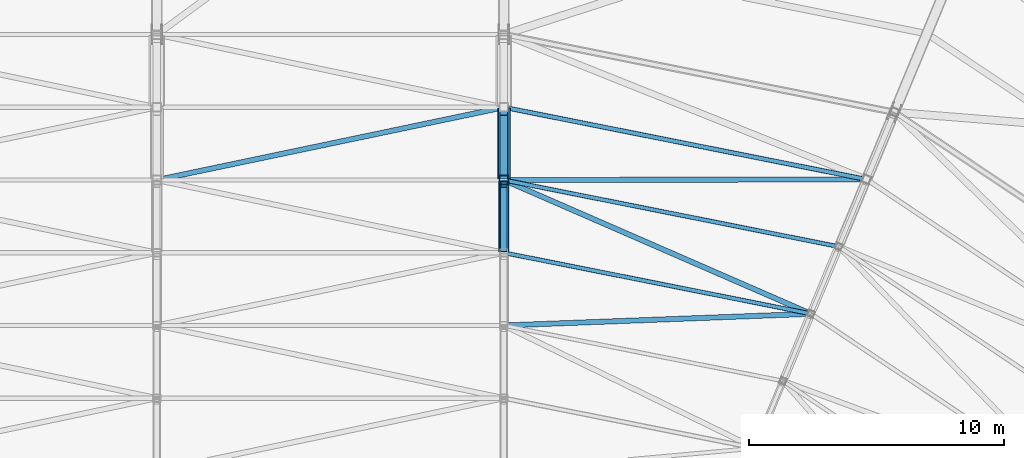
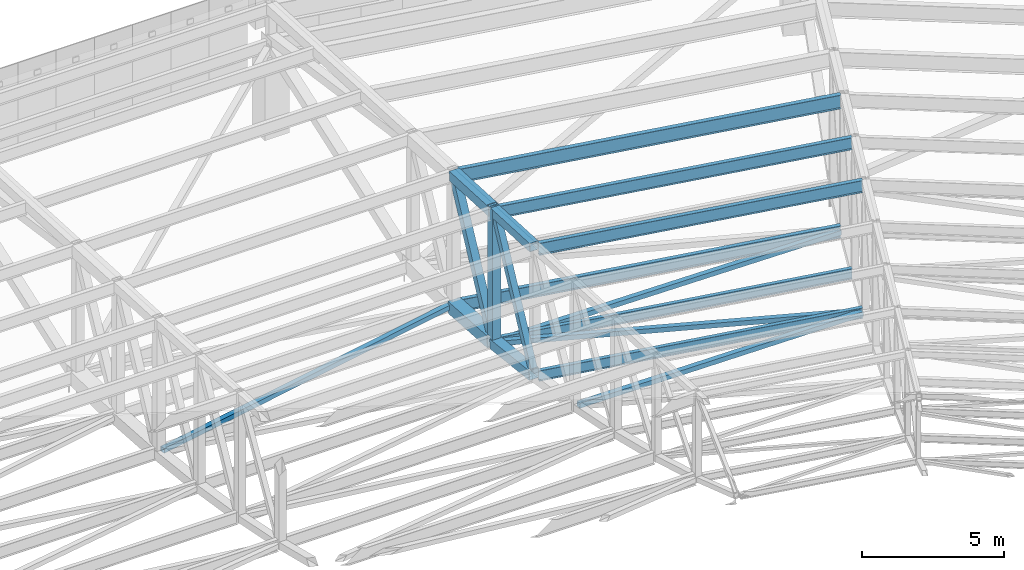
# One storey, part 88 of 278: 12 members, 5 beams.
"""IFC4 building model written with IfcOpenShell, lengths in metres."""

from ifc_helpers import new_model, si_unit, direction, frame, origin, origin_2d, place, context, subcontext, project, spatial, hollow_rectangle, i_section, extrude, material, material_profile, profile_set, type_object, element, save


model = new_model("IFC4")

# Units and contexts
model_context = context("Model", 3, precision=1e-05, world=origin(), true_north=direction((0.0, 1.0)))
body_context = subcontext(model_context, "Body", "Model", "MODEL_VIEW")
ifc_project = project(units=[si_unit("LENGTHUNIT", "METRE"), si_unit("AREAUNIT", "SQUARE_METRE"), si_unit("VOLUMEUNIT", "CUBIC_METRE"), si_unit("PLANEANGLEUNIT", "RADIAN"), si_unit("MASSUNIT", "GRAM", prefix="KILO")], contexts=[model_context])

# Site, building, storey
site_placement = place(None, origin())
site = spatial("IfcSite", under=ifc_project, at=site_placement, CompositionType="ELEMENT")
building_placement = place(site_placement, origin())
building = spatial("IfcBuilding", under=site, at=building_placement, Name="Ogive Plaza Stadium", CompositionType="ELEMENT")
storey_placement = place(building_placement, frame((0.0, 0.0, 29.0)))
storey = spatial("IfcBuildingStorey", under=building, at=storey_placement, Name="Roof", CompositionType="ELEMENT", Elevation=29.0)

# Members
ifc_material_1 = material(Name="Steel ASTM A500 Grade C", Category="steel")
ifc_material_profile_1 = material_profile(ifc_material_1, hollow_rectangle(XDim=0.203125, YDim=0.203125, WallThickness=0.0087890625, at=origin_2d()), Name="HSS8X8X3/8")
ifc_profile_set_1 = profile_set([ifc_material_profile_1], Name="Steel ASTM A500 Grade C")
member_type_1 = type_object("IfcMemberType", Name="Roof plan brace HSS8X8X3/8", PredefinedType="BRACE", material=ifc_profile_set_1)
member_1_placement = place(storey_placement, frame((20.5693359375, 86.83544921875, 0.50927734375), z_axis=(0.9786892756, 0.205092509512, -0.010215887981), x_axis=(-0.205103212524, 0.978740349742, 0.0)))
element("IfcMember", 1, at=member_1_placement, inside=storey, type_object=member_type_1, Name="ROOF BRACE B36 9", PredefinedType="BRACE", context=body_context, shape_type="SweptSolid", body=[
    extrude(hollow_rectangle(XDim=0.203125, YDim=0.203125, WallThickness=0.0087890625, at=origin_2d()), origin(), (0.0, 0.0, 1.0), 13.55029296875),
])
member_2_placement = place(storey_placement, frame((34.126220703125, 81.104736328125, 1.17578125), z_axis=(0.998586929303, 0.037835948464, -0.037317363644), x_axis=(-0.03786232091, 0.999282965258, 0.0)))
element("IfcMember", 2, at=member_2_placement, inside=storey, type_object=member_type_1, Name="ROOF BRACE B37 7", PredefinedType="BRACE", context=body_context, shape_type="SweptSolid", body=[
    extrude(hollow_rectangle(XDim=0.203125, YDim=0.203125, WallThickness=0.0087890625, at=origin_2d()), origin(), (0.0, 0.0, 1.0), 11.76953125),
])
member_3_placement = place(storey_placement, frame((45.94482421875, 81.595458984375, 0.728515625), z_axis=(-0.916524746659, 0.399342381412, -0.022539990446), x_axis=(-0.399443863264, -0.916757656145, 0.0)))
element("IfcMember", 3, at=member_3_placement, inside=storey, type_object=member_type_1, Name="ROOF BRACE B37 8", PredefinedType="BRACE", context=body_context, shape_type="SweptSolid", body=[
    extrude(hollow_rectangle(XDim=0.203125, YDim=0.203125, WallThickness=0.0087890625, at=origin_2d()), origin(), (0.0, 0.0, 1.0), 12.824462890625),
])
member_4_placement = place(storey_placement, frame((34.14794921875, 86.80029296875, 0.43310546875), z_axis=(0.999929483207, 0.001546491055, -0.01177442053), x_axis=(-0.001546598266, 0.999998804016, 0.0)))
element("IfcMember", 4, at=member_4_placement, inside=storey, type_object=member_type_1, Name="ROOF BRACE B37 9", PredefinedType="BRACE", context=body_context, shape_type="SweptSolid", body=[
    extrude(hollow_rectangle(XDim=0.203125, YDim=0.203125, WallThickness=0.0087890625, at=origin_2d()), origin(), (0.0, 0.0, 1.0), 13.892333984375),
])
ifc_material_2 = material(Name="Steel ASTM A992 Grade 50", Category="steel")
ifc_material_profile_2 = material_profile(ifc_material_2, i_section(OverallWidth=0.15234375, OverallDepth=0.449462890625, WebThickness=0.007568359375, FlangeThickness=0.0107421875, at=origin_2d()), Name="W18X35")
ifc_profile_set_2 = profile_set([ifc_material_profile_2], Name="Steel ASTM A992 Grade 50")
member_type_2 = type_object("IfcMemberType", Name="Roof plan strut W18X35", PredefinedType="STRUT", material=ifc_profile_set_2)
member_5_placement = place(storey_placement, frame((34.137939453125, 83.922607421875, 0.730712890625), z_axis=(0.980784109733, -0.195096207281, 0.0), x_axis=(0.195096207281, 0.980784109733, 0.0)))
element("IfcMember", 5, at=member_5_placement, inside=storey, type_object=member_type_2, Name="ROOF STRUT B37 7", PredefinedType="STRUT", context=body_context, shape_type="SweptSolid", body=[
    extrude(i_section(OverallWidth=0.15234375, OverallDepth=0.449462890625, WebThickness=0.007568359375, FlangeThickness=0.0107421875, at=origin_2d()), origin(), (0.0, 0.0, 1.0), 12.015869140625),
])
member_6_placement = place(storey_placement, frame((34.163330078125, 86.767578125, 0.434814453125), z_axis=(0.980784397803, -0.195094759096, 0.0), x_axis=(0.195094759096, 0.980784397803, 0.0)))
element("IfcMember", 6, at=member_6_placement, inside=storey, type_object=member_type_2, Name="ROOF STRUT B37 8", PredefinedType="STRUT", context=body_context, shape_type="SweptSolid", body=[
    extrude(i_section(OverallWidth=0.15234375, OverallDepth=0.449462890625, WebThickness=0.007568359375, FlangeThickness=0.0107421875, at=origin_2d()), origin(), (0.0, 0.0, 1.0), 13.10205078125),
])
ifc_material_3 = material(Name="Steel ASTM A992 Grade 50", Category="steel")
ifc_material_profile_3 = material_profile(ifc_material_3, i_section(OverallWidth=0.1650390625, OverallDepth=0.524658203125, WebThickness=0.0087890625, FlangeThickness=0.011474609375, at=origin_2d()), Name="W21X44")
ifc_profile_set_3 = profile_set([ifc_material_profile_3], Name="Steel ASTM A992 Grade 50")
member_type_3 = type_object("IfcMemberType", Name="Roof plan strut W21X44", PredefinedType="STRUT", material=ifc_profile_set_3)
member_7_placement = place(storey_placement, frame((34.16455078125, 89.6171875, 0.267333984375), z_axis=(0.980787315442, -0.195080090906, 0.0), x_axis=(0.195080090906, 0.980787315442, 0.0)))
element("IfcMember", 7, at=member_7_placement, inside=storey, type_object=member_type_3, Name="ROOF STRUT B37 9", PredefinedType="STRUT", context=body_context, shape_type="SweptSolid", body=[
    extrude(i_section(OverallWidth=0.1650390625, OverallDepth=0.524658203125, WebThickness=0.0087890625, FlangeThickness=0.011474609375, at=origin_2d()), origin(), (0.0, 0.0, 1.0), 14.185546875),
])
ifc_material_4 = material(Name="Steel ASTM A992 Grade 50", Category="steel")
ifc_material_profile_4 = material_profile(ifc_material_4, i_section(OverallWidth=0.1650390625, OverallDepth=0.524658203125, WebThickness=0.0087890625, FlangeThickness=0.011474609375, at=origin_2d()), Name="W21X44")
ifc_profile_set_4 = profile_set([ifc_material_profile_4], Name="Steel ASTM A992 Grade 50")
member_type_4 = type_object("IfcMemberType", Name="Roof purlin W21X44", PredefinedType="PURLIN", material=ifc_profile_set_4)
member_8_placement = place(storey_placement, frame((34.13916015625, 83.92236328125, 6.1650390625), z_axis=(0.980784151785, -0.195095995879, 0.0), x_axis=(0.195095995879, 0.980784151785, 0.0)))
element("IfcMember", 8, at=member_8_placement, inside=storey, type_object=member_type_4, Name="ROOF PURLIN B37 7", PredefinedType="PURLIN", context=body_context, shape_type="SweptSolid", body=[
    extrude(i_section(OverallWidth=0.1650390625, OverallDepth=0.524658203125, WebThickness=0.0087890625, FlangeThickness=0.011474609375, at=origin_2d()), origin(), (0.0, 0.0, 1.0), 12.013427734375),
])
member_9_placement = place(storey_placement, frame((34.16455078125, 86.767333984375, 6.022705078125), z_axis=(0.980784436422, -0.195094564949, 0.0), x_axis=(0.195094564949, 0.980784436422, 0.0)))
element("IfcMember", 9, at=member_9_placement, inside=storey, type_object=member_type_4, Name="ROOF PURLIN B37 8", PredefinedType="PURLIN", context=body_context, shape_type="SweptSolid", body=[
    extrude(i_section(OverallWidth=0.1650390625, OverallDepth=0.524658203125, WebThickness=0.0087890625, FlangeThickness=0.011474609375, at=origin_2d()), origin(), (0.0, 0.0, 1.0), 13.099609375),
])
ifc_material_5 = material(Name="Steel ASTM A992 Grade 50", Category="steel")
ifc_material_profile_5 = material_profile(ifc_material_5, i_section(OverallWidth=0.177978515625, OverallDepth=0.5986328125, WebThickness=0.010009765625, FlangeThickness=0.012939453125, at=origin_2d()), Name="W24X55")
ifc_profile_set_5 = profile_set([ifc_material_profile_5], Name="Steel ASTM A992 Grade 50")
member_type_5 = type_object("IfcMemberType", Name="Roof purlin W24X55", PredefinedType="PURLIN", material=ifc_profile_set_5)
member_10_placement = place(storey_placement, frame((34.165771484375, 89.616943359375, 5.84326171875), z_axis=(0.98078735162, -0.195079909016, 0.0), x_axis=(0.195079909016, 0.98078735162, 0.0)))
element("IfcMember", 10, at=member_10_placement, inside=storey, type_object=member_type_5, Name="ROOF PURLIN B37 9", PredefinedType="PURLIN", context=body_context, shape_type="SweptSolid", body=[
    extrude(i_section(OverallWidth=0.177978515625, OverallDepth=0.5986328125, WebThickness=0.010009765625, FlangeThickness=0.012939453125, at=origin_2d()), origin(), (0.0, 0.0, 1.0), 14.18310546875),
])

# Beams
ifc_material_6 = material(Name="Steel ASTM A500 Grade C", Category="steel")
ifc_material_profile_6 = material_profile(ifc_material_6, hollow_rectangle(XDim=0.406494140625, YDim=0.406494140625, WallThickness=0.0146484375, at=origin_2d()), Name="HSS16X16X5/8")
ifc_profile_set_6 = profile_set([ifc_material_profile_6], Name="Steel ASTM A500 Grade C")
beam_type_1 = type_object("IfcBeamType", Name="Roof truss bottom chord HSS16X16X5/8", PredefinedType="BEAM", material=ifc_profile_set_6)
beam_1_placement = place(storey_placement, frame((34.0, 84.0, 0.777099609375), z_axis=(0.0, 0.993703844406, -0.112038696946), x_axis=(-1.0, 0.0, 0.0)))
element("IfcBeam", 11, at=beam_1_placement, inside=storey, type_object=beam_type_1, Name="ROOF TRUSS T37 BOTTOM CHORD 8", PredefinedType="BEAM", context=body_context, shape_type="SweptSolid", body=[
    extrude(hollow_rectangle(XDim=0.406494140625, YDim=0.406494140625, WallThickness=0.0146484375, at=origin_2d()), origin(), (0.0, 0.0, 1.0), 2.767333984375),
])
ifc_material_7 = material(Name="Steel ASTM A500 Grade C", Category="steel")
ifc_material_profile_7 = material_profile(ifc_material_7, hollow_rectangle(XDim=0.508056640625, YDim=0.508056640625, WallThickness=0.0146484375, at=origin_2d()), Name="HSS20X20X5/8")
ifc_profile_set_7 = profile_set([ifc_material_profile_7], Name="Steel ASTM A500 Grade C")
beam_type_2 = type_object("IfcBeamType", Name="Roof truss bottom chord HSS20X20X5/8", PredefinedType="BEAM", material=ifc_profile_set_7)
beam_2_placement = place(storey_placement, frame((34.0, 86.85009765625, 0.50830078125), z_axis=(0.0, 0.997719620387, -0.06749488199), x_axis=(-1.0, 0.0, 0.0)))
element("IfcBeam", 12, at=beam_2_placement, inside=storey, type_object=beam_type_2, Name="ROOF TRUSS T37 BOTTOM CHORD 9", PredefinedType="BEAM", context=body_context, shape_type="SweptSolid", body=[
    extrude(hollow_rectangle(XDim=0.508056640625, YDim=0.508056640625, WallThickness=0.0146484375, at=origin_2d()), origin(), (0.0, 0.0, 1.0), 2.75634765625),
])

# Members
ifc_material_8 = material(Name="Steel ASTM A500 Grade C", Category="steel")
ifc_material_profile_8 = material_profile(ifc_material_8, hollow_rectangle(XDim=0.25390625, YDim=0.25390625, WallThickness=0.0087890625, at=origin_2d()), Name="HSS10X10X3/8")
ifc_profile_set_8 = profile_set([ifc_material_profile_8], Name="Steel ASTM A500 Grade C")
member_type_6 = type_object("IfcMemberType", Name="Roof truss diagonal HSS10X10X3/8", PredefinedType="BRACE", material=ifc_profile_set_8)
member_11_placement = place(storey_placement, frame((34.0, 84.102294921875, 0.984619140625), z_axis=(0.0, 0.454062843231, 0.890969659639), x_axis=(-1.0, 0.0, 0.0)))
element("IfcMember", 13, at=member_11_placement, inside=storey, type_object=member_type_6, Name="ROOF TRUSS T37 DIAGONAL 8", PredefinedType="BRACE", context=body_context, shape_type="SweptSolid", body=[
    extrude(hollow_rectangle(XDim=0.25390625, YDim=0.25390625, WallThickness=0.0087890625, at=origin_2d()), origin(), (0.0, 0.0, 1.0), 5.550048828125),
])
ifc_material_9 = material(Name="Steel ASTM A500 Grade C", Category="steel")
ifc_material_profile_9 = material_profile(ifc_material_9, hollow_rectangle(XDim=0.3046875, YDim=0.3046875, WallThickness=0.0087890625, at=origin_2d()), Name="HSS12X12X3/8")
ifc_profile_set_9 = profile_set([ifc_material_profile_9], Name="Steel ASTM A500 Grade C")
member_type_7 = type_object("IfcMemberType", Name="Roof truss diagonal HSS12X12X3/8", PredefinedType="BRACE", material=ifc_profile_set_9)
member_12_placement = place(storey_placement, frame((34.0, 86.977783203125, 0.764892578125), z_axis=(0.0, 0.448477330766, 0.893794206621), x_axis=(-1.0, 0.0, 0.0)))
element("IfcMember", 14, at=member_12_placement, inside=storey, type_object=member_type_7, Name="ROOF TRUSS T37 DIAGONAL 9", PredefinedType="BRACE", context=body_context, shape_type="SweptSolid", body=[
    extrude(hollow_rectangle(XDim=0.3046875, YDim=0.3046875, WallThickness=0.0087890625, at=origin_2d()), origin(), (0.0, 0.0, 1.0), 5.56201171875),
])

# Beams
ifc_material_10 = material(Name="Steel ASTM A500 Grade C", Category="steel")
ifc_material_profile_10 = material_profile(ifc_material_10, hollow_rectangle(XDim=0.355712890625, YDim=0.355712890625, WallThickness=0.0146484375, at=origin_2d()), Name="HSS14X14X5/8")
ifc_profile_set_10 = profile_set([ifc_material_profile_10], Name="Steel ASTM A500 Grade C")
beam_type_3 = type_object("IfcBeamType", Name="Roof truss post HSS14X14X5/8", PredefinedType="BEAM", material=ifc_profile_set_10)
beam_3_placement = place(storey_placement, frame((34.0, 86.800048828125, 0.257080078125), z_axis=(0.0, 0.0, 1.0), x_axis=(-1.0, 0.0, 0.0)))
element("IfcBeam", 15, at=beam_3_placement, inside=storey, type_object=beam_type_3, Name="ROOF TRUSS T37 POST 9", PredefinedType="BEAM", context=body_context, shape_type="SweptSolid", body=[
    extrude(hollow_rectangle(XDim=0.355712890625, YDim=0.355712890625, WallThickness=0.0146484375, at=origin_2d()), origin(), (0.0, 0.0, 1.0), 6.02783203125),
])
ifc_material_11 = material(Name="Steel ASTM A500 Grade C", Category="steel")
ifc_material_profile_11 = material_profile(ifc_material_11, hollow_rectangle(XDim=0.355712890625, YDim=0.355712890625, WallThickness=0.01171875, at=origin_2d()), Name="HSS14X14X1/2")
ifc_profile_set_11 = profile_set([ifc_material_profile_11], Name="Steel ASTM A500 Grade C")
beam_type_4 = type_object("IfcBeamType", Name="Roof truss top chord HSS14X14X1/2", PredefinedType="BEAM", material=ifc_profile_set_11)
beam_4_placement = place(storey_placement, frame((34.0, 84.0, 6.2470703125), z_axis=(0.0, 0.998748798523, -0.05000837379), x_axis=(-1.0, 0.0, 0.0)))
element("IfcBeam", 16, at=beam_4_placement, inside=storey, type_object=beam_type_4, Name="ROOF TRUSS T37 TOP CHORD 8", PredefinedType="BEAM", context=body_context, shape_type="SweptSolid", body=[
    extrude(hollow_rectangle(XDim=0.355712890625, YDim=0.355712890625, WallThickness=0.01171875, at=origin_2d()), origin(), (0.0, 0.0, 1.0), 2.75341796875),
])
ifc_material_12 = material(Name="Steel ASTM A500 Grade C", Category="steel")
ifc_material_profile_12 = material_profile(ifc_material_12, hollow_rectangle(XDim=0.406494140625, YDim=0.406494140625, WallThickness=0.01171875, at=origin_2d()), Name="HSS16X16X1/2")
ifc_profile_set_12 = profile_set([ifc_material_profile_12], Name="Steel ASTM A500 Grade C")
beam_type_5 = type_object("IfcBeamType", Name="Roof truss top chord HSS16X16X1/2", PredefinedType="BEAM", material=ifc_profile_set_12)
beam_5_placement = place(storey_placement, frame((34.0, 86.85009765625, 6.0791015625), z_axis=(0.0, 0.998753223187, -0.049919927615), x_axis=(-1.0, 0.0, 0.0)))
element("IfcBeam", 17, at=beam_5_placement, inside=storey, type_object=beam_type_5, Name="ROOF TRUSS T37 TOP CHORD 9", PredefinedType="BEAM", context=body_context, shape_type="SweptSolid", body=[
    extrude(hollow_rectangle(XDim=0.406494140625, YDim=0.406494140625, WallThickness=0.01171875, at=origin_2d()), origin(), (0.0, 0.0, 1.0), 2.75341796875),
])

save(model, "model.ifc")
